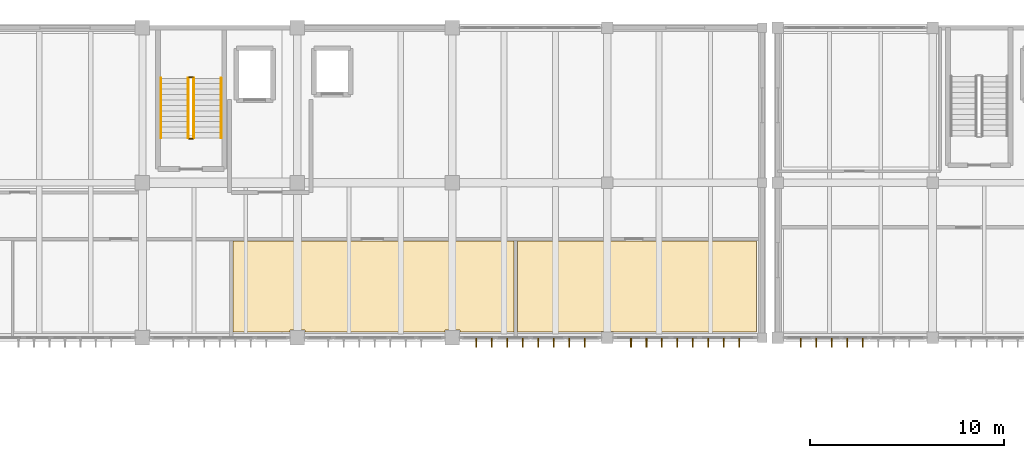
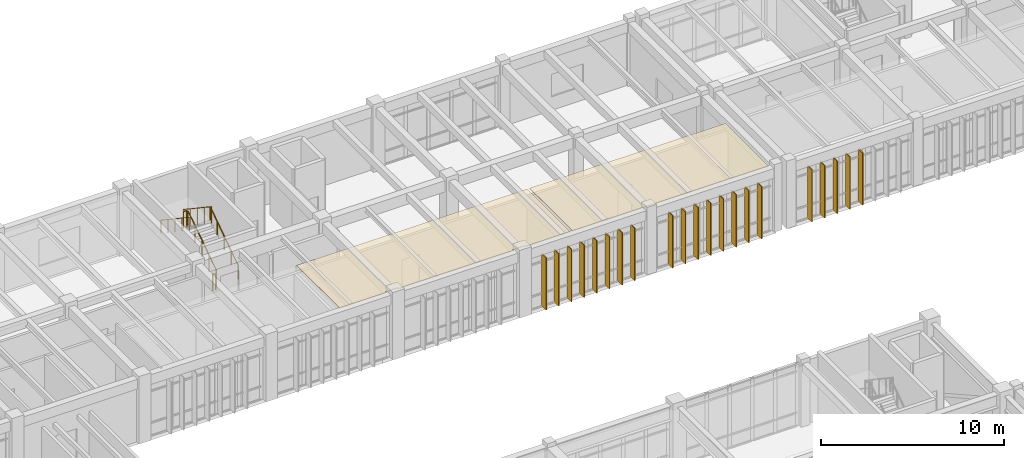
# One storey, part 75 of 79: 21 shading devices, 6 railings, 2 coverings.
"""IFC4 building model written with IfcOpenShell, lengths in metres."""

from ifc_helpers import new_model, si_unit, direction, frame, origin, origin_2d, place, context, subcontext, project, spatial, polyline, rectangle, circle, outline, extrude, material, layer, layer_set, type_object, element, save


model = new_model("IFC4")

# Units and contexts
model_context = context("Model", 3, precision=1e-05, world=origin(), true_north=direction((0.0, 1.0)))
body_context = subcontext(model_context, "Body", "Model", "MODEL_VIEW")
ifc_project = project(units=[si_unit("LENGTHUNIT", "METRE"), si_unit("AREAUNIT", "SQUARE_METRE"), si_unit("VOLUMEUNIT", "CUBIC_METRE"), si_unit("PLANEANGLEUNIT", "RADIAN"), si_unit("MASSUNIT", "GRAM", prefix="KILO")], contexts=[model_context])

# Site, building, storey
site_placement = place(None, origin())
site = spatial("IfcSite", under=ifc_project, at=site_placement, CompositionType="ELEMENT")
building_placement = place(site_placement, origin())
building = spatial("IfcBuilding", under=site, at=building_placement, Name="Tlaxcora Railside Police Headquarters", CompositionType="ELEMENT")
storey_placement = place(building_placement, frame((0.0, 0.0, 9.0)))
storey = spatial("IfcBuildingStorey", under=building, at=storey_placement, Name="L02", CompositionType="ELEMENT", Elevation=9.0)

# Coverings
ifc_material_1 = material(Name="Mineral-fibre acoustic ceiling tile")
ifc_layer_1 = layer(ifc_material_1, 0.034912109375, Name="Mineral-fibre acoustic ceiling tile")
ifc_layer_set_1 = layer_set([ifc_layer_1], Name="Mineral-fibre acoustic ceiling tile")
covering_type = type_object("IfcCoveringType", Name="Acoustic Suspended Ceiling CLG-01", PredefinedType="CEILING", material=ifc_layer_set_1)
covering_1_placement = place(storey_placement, frame((0.0, 0.0, 4.06494140625)))
element("IfcCovering", 1, at=covering_1_placement, inside=storey, type_object=covering_type, Name="Financial and Anti-Fraud Investigation Unit suspended ceiling", PredefinedType="CEILING", context=body_context, shape_type="SweptSolid", body=[
    extrude(outline(polyline([(89.194091796875, 77.10009765625), (89.194091796875, 81.800048828125), (74.66796875, 81.800048828125), (74.66796875, 77.10009765625), (77.614990234375, 77.10009765625), (77.614990234375, 77.18505859375), (78.385009765625, 77.18505859375), (78.385009765625, 77.10009765625), (85.614990234375, 77.10009765625), (85.614990234375, 77.18505859375), (86.385009765625, 77.18505859375), (86.385009765625, 77.10009765625), (89.194091796875, 77.10009765625)])), origin(), (0.0, 0.0, 1.0), 0.03515625),
])
covering_2_placement = place(storey_placement, frame((0.0, 0.0, 4.06494140625)))
element("IfcCovering", 2, at=covering_2_placement, inside=storey, type_object=covering_type, Name="Case Strategy Briefing Room L02 suspended ceiling", PredefinedType="CEILING", context=body_context, shape_type="SweptSolid", body=[
    extrude(outline(polyline([(101.699951171875, 81.800048828125), (89.35400390625, 81.800048828125), (89.35400390625, 77.10009765625), (93.68994140625, 77.10009765625), (93.68994140625, 77.110107421875), (94.31005859375, 77.110107421875), (94.31005859375, 77.10009765625), (101.699951171875, 77.10009765625), (101.699951171875, 81.800048828125)])), origin(), (0.0, 0.0, 1.0), 0.03515625),
])

# Shading devices
ifc_material_2 = material(Name="Anodised aluminium framing", Category="aluminium")
ifc_layer_2 = layer(ifc_material_2, 0.054931640625, Name="Anodised aluminium framing")
ifc_layer_set_2 = layer_set([ifc_layer_2], Name="Anodised aluminium framing")
shading_device_type_1 = type_object("IfcShadingDeviceType", Name="Solar Control Fin SF-01", PredefinedType="JALOUSIE", material=ifc_layer_set_2)
for number, where, z_axis, x_axis, name in (
    (3, (87.237548828125, 76.5400390625, 0.0400390625), (0.0, 0.0, 1.0), (0.0, -1.0, 0.0), "Vertical solar fin 206"),
    (4, (88.03759765625, 76.5400390625, 0.0400390625), (0.0, 0.0, 1.0), (0.0, -1.0, 0.0), "Vertical solar fin 207"),
    (5, (88.83740234375, 76.5400390625, 0.0400390625), (0.0, 0.0, 1.0), (0.0, -1.0, 0.0), "Vertical solar fin 208"),
    (6, (89.637451171875, 76.5400390625, 0.0400390625), (0.0, 0.0, 1.0), (0.0, -1.0, 0.0), "Vertical solar fin 209"),
    (7, (90.4375, 76.5400390625, 0.0400390625), (0.0, 0.0, 1.0), (0.0, -1.0, 0.0), "Vertical solar fin 210"),
    (8, (91.237548828125, 76.5400390625, 0.0400390625), (0.0, 0.0, 1.0), (0.0, -1.0, 0.0), "Vertical solar fin 211"),
    (9, (92.03759765625, 76.5400390625, 0.0400390625), (0.0, 0.0, 1.0), (0.0, -1.0, 0.0), "Vertical solar fin 212"),
    (10, (92.83740234375, 76.5400390625, 0.0400390625), (0.0, 0.0, 1.0), (0.0, -1.0, 0.0), "Vertical solar fin 213"),
    (11, (95.22509765625, 76.5400390625, 0.0400390625), (0.0, 0.0, 1.0), (0.0, -1.0, 0.0), "Vertical solar fin 214"),
    (12, (96.02490234375, 76.5400390625, 0.0400390625), (0.0, 0.0, 1.0), (0.0, -1.0, 0.0), "Vertical solar fin 215"),
    (13, (96.824951171875, 76.5400390625, 0.0400390625), (0.0, 0.0, 1.0), (0.0, -1.0, 0.0), "Vertical solar fin 216"),
    (14, (97.625, 76.5400390625, 0.0400390625), (0.0, 0.0, 1.0), (0.0, -1.0, 0.0), "Vertical solar fin 217"),
    (15, (98.425048828125, 76.5400390625, 0.0400390625), (0.0, 0.0, 1.0), (0.0, -1.0, 0.0), "Vertical solar fin 218"),
    (16, (99.22509765625, 76.5400390625, 0.0400390625), (0.0, 0.0, 1.0), (0.0, -1.0, 0.0), "Vertical solar fin 219"),
    (17, (100.02490234375, 76.5400390625, 0.0400390625), (0.0, 0.0, 1.0), (0.0, -1.0, 0.0), "Vertical solar fin 220"),
    (18, (100.824951171875, 76.5400390625, 0.0400390625), (0.0, 0.0, 1.0), (0.0, -1.0, 0.0), "Vertical solar fin 221"),
):
    element("IfcShadingDevice", number, at=place(storey_placement, frame(where, z_axis=z_axis, x_axis=x_axis)), inside=storey, type_object=shading_device_type_1, Name=name, PredefinedType="JALOUSIE", context=body_context, shape_type="SweptSolid", body=[
        extrude(rectangle(XDim=0.47998046875, YDim=0.054931640625, at=origin_2d()), origin(), (0.0, 0.0, 1.0), 3.489990234375),
    ])
ifc_material_3 = material(Name="Bronze-anodised perforated aluminium sheet", Category="aluminium")
ifc_layer_3 = layer(ifc_material_3, 0.06494140625, Name="Bronze-anodised perforated aluminium sheet")
ifc_layer_set_3 = layer_set([ifc_layer_3], Name="Bronze-anodised perforated aluminium sheet")
shading_device_type_2 = type_object("IfcShadingDeviceType", Name="Solar Control Fin SF-02", PredefinedType="JALOUSIE", material=ifc_layer_set_3)
for number, where, z_axis, x_axis, name in (
    (19, (104.0, 76.5400390625, 0.0400390625), (0.0, 0.0, 1.0), (0.0, -1.0, 0.0), "Vertical solar fin 824"),
    (20, (104.800048828125, 76.5400390625, 0.0400390625), (0.0, 0.0, 1.0), (0.0, -1.0, 0.0), "Vertical solar fin 825"),
    (21, (105.60009765625, 76.5400390625, 0.0400390625), (0.0, 0.0, 1.0), (0.0, -1.0, 0.0), "Vertical solar fin 826"),
    (22, (106.39990234375, 76.5400390625, 0.0400390625), (0.0, 0.0, 1.0), (0.0, -1.0, 0.0), "Vertical solar fin 827"),
    (23, (107.199951171875, 76.5400390625, 0.0400390625), (0.0, 0.0, 1.0), (0.0, -1.0, 0.0), "Vertical solar fin 828"),
):
    element("IfcShadingDevice", number, at=place(storey_placement, frame(where, z_axis=z_axis, x_axis=x_axis)), inside=storey, type_object=shading_device_type_2, Name=name, PredefinedType="JALOUSIE", context=body_context, shape_type="SweptSolid", body=[
        extrude(rectangle(XDim=0.47998046875, YDim=0.054931640625, at=origin_2d()), origin(), (0.0, 0.0, 1.0), 3.489990234375),
    ])

# Railings
ifc_material_4 = material(Name="Steel ASTM A992 Grade 50", Category="steel")
railing_type_1 = type_object("IfcRailingType", Name="Stair Well Guard Balustrade GR-02", PredefinedType="BALUSTRADE", material=ifc_material_4)
railing_1_placement = place(storey_placement, frame((72.659912109375, 87.110107421875, 0.1875)))
element("IfcRailing", 24, at=railing_1_placement, inside=storey, type_object=railing_type_1, Name="L02 ST2 stair guard 1", PredefinedType="BALUSTRADE", context=body_context, shape_type="SweptSolid", body=[
    extrude(circle(Radius=0.02392578125, at=origin_2d()), frame((0.0, 0.0, 1.09619140625), z_axis=(0.0, 0.830893310487, 0.556431762742), x_axis=(-1.0, 0.0, 0.0)), (0.0, 0.0, 1.0), 3.70654296875),
    extrude(circle(Radius=0.02099609375, at=origin_2d()), origin(), (0.0, 0.0, 1.0), 1.072021484375),
    extrude(circle(Radius=0.02099609375, at=origin_2d()), frame((0.0, 0.77001953125, 0.515625)), (0.0, 0.0, 1.0), 1.072021484375),
    extrude(circle(Radius=0.02099609375, at=origin_2d()), frame((0.0, 1.5400390625, 1.03125)), (0.0, 0.0, 1.0), 1.072021484375),
    extrude(circle(Radius=0.02099609375, at=origin_2d()), frame((0.0, 2.309814453125, 1.546875)), (0.0, 0.0, 1.0), 1.072021484375),
    extrude(circle(Radius=0.02099609375, at=origin_2d()), frame((0.0, 3.079833984375, 2.0625)), (0.0, 0.0, 1.0), 1.072021484375),
])
railing_2_placement = place(storey_placement, frame((72.610107421875, 90.239990234375, 2.25)))
element("IfcRailing", 25, at=railing_2_placement, inside=storey, type_object=railing_type_1, Name="L02 ST2 stair guard 2", PredefinedType="BALUSTRADE", context=body_context, shape_type="SweptSolid", body=[
    extrude(circle(Radius=0.02392578125, at=origin_2d()), frame((0.0, 0.0, 1.09619140625), z_axis=(-1.0, 0.0, 0.0), x_axis=(0.0, -1.0, 0.0)), (0.0, 0.0, 1.0), 0.2001953125),
    extrude(circle(Radius=0.02099609375, at=origin_2d()), origin(), (0.0, 0.0, 1.0), 1.072021484375),
    extrude(circle(Radius=0.02099609375, at=origin_2d()), frame((-0.2001953125, 0.0, 0.0)), (0.0, 0.0, 1.0), 1.072021484375),
])
railing_3_placement = place(storey_placement, frame((72.360107421875, 90.18994140625, 2.4375)))
element("IfcRailing", 26, at=railing_3_placement, inside=storey, type_object=railing_type_1, Name="L02 ST2 stair guard 3", PredefinedType="BALUSTRADE", context=body_context, shape_type="SweptSolid", body=[
    extrude(circle(Radius=0.02392578125, at=origin_2d()), frame((0.0, 0.0, 1.09619140625), z_axis=(0.0, -0.830893310487, 0.556431762742), x_axis=(1.0, 0.0, 0.0)), (0.0, 0.0, 1.0), 3.70654296875),
    extrude(circle(Radius=0.02099609375, at=origin_2d()), origin(), (0.0, 0.0, 1.0), 1.072021484375),
    extrude(circle(Radius=0.02099609375, at=origin_2d()), frame((0.0, -0.77001953125, 0.515625)), (0.0, 0.0, 1.0), 1.072021484375),
    extrude(circle(Radius=0.02099609375, at=origin_2d()), frame((0.0, -1.5400390625, 1.03125)), (0.0, 0.0, 1.0), 1.072021484375),
    extrude(circle(Radius=0.02099609375, at=origin_2d()), frame((0.0, -2.309814453125, 1.546875)), (0.0, 0.0, 1.0), 1.072021484375),
    extrude(circle(Radius=0.02099609375, at=origin_2d()), frame((0.0, -3.079833984375, 2.0625)), (0.0, 0.0, 1.0), 1.072021484375),
])
railing_4_placement = place(storey_placement, frame((72.610107421875, 87.06005859375, 0.0)))
element("IfcRailing", 27, at=railing_4_placement, inside=storey, type_object=railing_type_1, Name="L02 ST2 stair guard 4", PredefinedType="BALUSTRADE", context=body_context, shape_type="SweptSolid", body=[
    extrude(circle(Radius=0.02392578125, at=origin_2d()), frame((0.0, 0.0, 1.09619140625), z_axis=(-1.0, 0.0, 0.0), x_axis=(0.0, -1.0, 0.0)), (0.0, 0.0, 1.0), 0.2001953125),
    extrude(circle(Radius=0.02099609375, at=origin_2d()), origin(), (0.0, 0.0, 1.0), 1.072021484375),
    extrude(circle(Radius=0.02099609375, at=origin_2d()), frame((-0.2001953125, 0.0, 0.0)), (0.0, 0.0, 1.0), 1.072021484375),
])
railing_type_2 = type_object("IfcRailingType", Name="Stair and Ramp Handrail HR-01", PredefinedType="HANDRAIL", material=ifc_material_4)
railing_5_placement = place(storey_placement, frame((74.06005859375, 87.110107421875, 0.1875)))
element("IfcRailing", 28, at=railing_5_placement, inside=storey, type_object=railing_type_2, Name="L02 ST2 stair handrail 1", PredefinedType="HANDRAIL", context=body_context, shape_type="SweptSolid", body=[
    extrude(circle(Radius=0.02392578125, at=origin_2d()), frame((0.0, 0.0, 0.8759765625), z_axis=(0.0, 0.830893310487, 0.556431762742), x_axis=(-1.0, 0.0, 0.0)), (0.0, 0.0, 1.0), 3.70654296875),
    extrude(circle(Radius=0.02099609375, at=origin_2d()), origin(), (0.0, 0.0, 1.0), 0.851806640625),
    extrude(circle(Radius=0.02099609375, at=origin_2d()), frame((0.0, 0.77001953125, 0.515625)), (0.0, 0.0, 1.0), 0.851806640625),
    extrude(circle(Radius=0.02099609375, at=origin_2d()), frame((0.0, 1.5400390625, 1.03125)), (0.0, 0.0, 1.0), 0.851806640625),
    extrude(circle(Radius=0.02099609375, at=origin_2d()), frame((0.0, 2.309814453125, 1.546875)), (0.0, 0.0, 1.0), 0.851806640625),
    extrude(circle(Radius=0.02099609375, at=origin_2d()), frame((0.0, 3.079833984375, 2.0625)), (0.0, 0.0, 1.0), 0.851806640625),
])
railing_6_placement = place(storey_placement, frame((70.9599609375, 90.18994140625, 2.4375)))
element("IfcRailing", 29, at=railing_6_placement, inside=storey, type_object=railing_type_2, Name="L02 ST2 stair handrail 2", PredefinedType="HANDRAIL", context=body_context, shape_type="SweptSolid", body=[
    extrude(circle(Radius=0.02392578125, at=origin_2d()), frame((0.0, 0.0, 0.8759765625), z_axis=(0.0, -0.830893310487, 0.556431762742), x_axis=(1.0, 0.0, 0.0)), (0.0, 0.0, 1.0), 3.70654296875),
    extrude(circle(Radius=0.02099609375, at=origin_2d()), origin(), (0.0, 0.0, 1.0), 0.851806640625),
    extrude(circle(Radius=0.02099609375, at=origin_2d()), frame((0.0, -0.77001953125, 0.515625)), (0.0, 0.0, 1.0), 0.851806640625),
    extrude(circle(Radius=0.02099609375, at=origin_2d()), frame((0.0, -1.5400390625, 1.03125)), (0.0, 0.0, 1.0), 0.851806640625),
    extrude(circle(Radius=0.02099609375, at=origin_2d()), frame((0.0, -2.309814453125, 1.546875)), (0.0, 0.0, 1.0), 0.851806640625),
    extrude(circle(Radius=0.02099609375, at=origin_2d()), frame((0.0, -3.079833984375, 2.0625)), (0.0, 0.0, 1.0), 0.851806640625),
])

save(model, "model.ifc")
